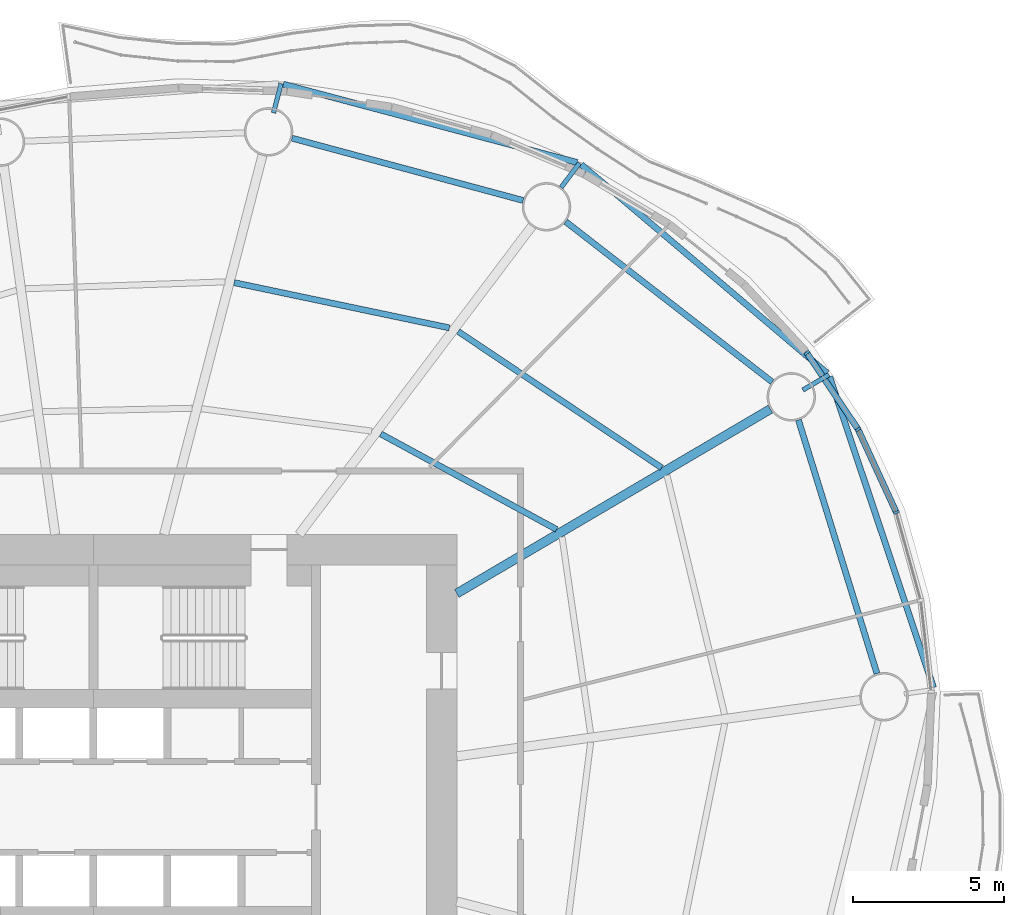
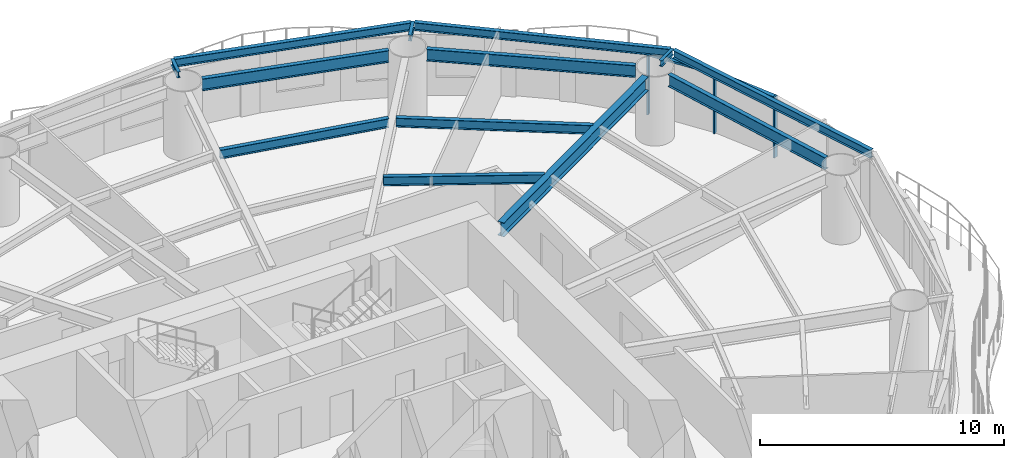
# One storey, part 6 of 16: 13 beams, 5 members, 2 elements without a shape of their own.
"""IFC4 building model written with IfcOpenShell, lengths in metres."""

from ifc_helpers import new_model, si_unit, direction, frame, origin, origin_2d, place, context, subcontext, project, spatial, rectangle, i_section, extrude, material, material_profile, profile_set, type_object, element, aggregate, save


model = new_model("IFC4")

# Units and contexts
model_context = context("Model", 3, precision=1e-05, world=origin(), true_north=direction((0.0, 1.0)))
body_context = subcontext(model_context, "Body", "Model", "MODEL_VIEW")
ifc_project = project(units=[si_unit("LENGTHUNIT", "METRE"), si_unit("AREAUNIT", "SQUARE_METRE"), si_unit("VOLUMEUNIT", "CUBIC_METRE"), si_unit("PLANEANGLEUNIT", "RADIAN"), si_unit("MASSUNIT", "GRAM", prefix="KILO")], contexts=[model_context])

# Site, building, storey
site_placement = place(None, origin())
site = spatial("IfcSite", under=ifc_project, at=site_placement, CompositionType="ELEMENT")
building_placement = place(site_placement, origin())
building = spatial("IfcBuilding", under=site, at=building_placement, Name="Vermilion Reach Broadcast Tower", CompositionType="ELEMENT")
storey_placement = place(building_placement, frame((0.0, 0.0, 113.800048828125)))
storey = spatial("IfcBuildingStorey", under=building, at=storey_placement, Name="L26", CompositionType="ELEMENT", Elevation=113.800048828125)

# Beams
ifc_material_1 = material(Name="Steel S355J2", Category="steel")
ifc_material_profile_1 = material_profile(ifc_material_1, i_section(OverallWidth=0.199951171875, OverallDepth=0.39990234375, WebThickness=0.008056640625, FlangeThickness=0.012939453125, at=origin_2d()), Name="S355J2 HN 400x200x8x13")
ifc_profile_set_1 = profile_set([ifc_material_profile_1], Name="Steel S355J2")
beam_type_1 = type_object("IfcBeamType", Name="EB2 HN 400x200x8x13", PredefinedType="BEAM", material=ifc_profile_set_1)
beam_1_placement = place(storey_placement, frame((18.2265625, 14.3291015625, 3.25), z_axis=(-0.762593135602, 0.646878434895, 0.0), x_axis=(-0.646878434895, -0.762593135602, 0.0)))
element("IfcBeam", 1, at=beam_1_placement, inside=storey, type_object=beam_type_1, Name="Edge beam EB2-01", PredefinedType="BEAM", context=body_context, shape_type="SweptSolid", body=[
    extrude(i_section(OverallWidth=0.199951171875, OverallDepth=0.39990234375, WebThickness=0.008056640625, FlangeThickness=0.012939453125, at=origin_2d()), origin(), (0.0, 0.0, 1.0), 10.644287109375),
])
beam_2_placement = place(storey_placement, frame((9.973876953125, 21.2841796875, 3.25), z_axis=(-0.966298679998, 0.257423505208, 0.0), x_axis=(-0.257423505208, -0.966298679998, 0.0)))
element("IfcBeam", 2, at=beam_2_placement, inside=storey, type_object=beam_type_1, Name="Edge beam EB2-02", PredefinedType="BEAM", context=body_context, shape_type="SweptSolid", body=[
    extrude(i_section(OverallWidth=0.199951171875, OverallDepth=0.39990234375, WebThickness=0.008056640625, FlangeThickness=0.012939453125, at=origin_2d()), origin(), (0.0, 0.0, 1.0), 10.039794921875),
])
beam_3_placement = place(storey_placement, frame((21.73876953125, 3.949462890625, 3.25), z_axis=(-0.316959220563, 0.948439166473, 0.0), x_axis=(-0.948439166473, -0.316959220563, 0.0)))
element("IfcBeam", 3, at=beam_3_placement, inside=storey, type_object=beam_type_1, Name="Edge beam EB2-16", PredefinedType="BEAM", context=body_context, shape_type="SweptSolid", body=[
    extrude(i_section(OverallWidth=0.199951171875, OverallDepth=0.39990234375, WebThickness=0.008056640625, FlangeThickness=0.012939453125, at=origin_2d()), origin(), (0.0, 0.0, 1.0), 10.81298828125),
])
ifc_material_2 = material(Name="Steel S355J2", Category="steel")
ifc_material_profile_2 = material_profile(ifc_material_2, i_section(OverallWidth=0.300048828125, OverallDepth=0.699951171875, WebThickness=0.012939453125, FlangeThickness=0.02392578125, at=origin_2d()), Name="S355J2 HN 700x300x13x24")
ifc_profile_set_2 = profile_set([ifc_material_profile_2], Name="Steel S355J2")
beam_type_2 = type_object("IfcBeamType", Name="G2 HN 700x300x13x24", PredefinedType="BEAM", material=ifc_profile_set_2)
beam_4_placement = place(storey_placement, frame((6.0, 7.054443359375, 3.099853515625), z_axis=(0.862071616631, 0.506786471603, 0.0), x_axis=(-0.506786471603, 0.862071616631, 0.0)))
element("IfcBeam", 4, at=beam_4_placement, inside=storey, type_object=beam_type_2, Name="Girder G2-01", PredefinedType="BEAM", context=body_context, shape_type="SweptSolid", body=[
    extrude(i_section(OverallWidth=0.300048828125, OverallDepth=0.699951171875, WebThickness=0.012939453125, FlangeThickness=0.02392578125, at=origin_2d()), origin(), (0.0, 0.0, 1.0), 12.01025390625),
])
ifc_material_3 = material(Name="Steel S355J2", Category="steel")
ifc_material_profile_3 = material_profile(ifc_material_3, i_section(OverallWidth=0.14990234375, OverallDepth=0.300048828125, WebThickness=0.006591796875, FlangeThickness=0.009033203125, at=origin_2d()), Name="S355J2 HN 300x150x6.5x9")
ifc_profile_set_3 = profile_set([ifc_material_profile_3], Name="Steel S355J2")
beam_type_3 = type_object("IfcBeamType", Name="GS2 HN 300x150x6.5x9", PredefinedType="BEAM", material=ifc_profile_set_3)
beam_5_placement = place(storey_placement, frame((17.425048828125, 13.77099609375, 3.300048828125), z_axis=(0.862153821816, 0.506646610102, 0.0), x_axis=(-0.506646610102, 0.862153821816, 0.0)))
element("IfcBeam", 5, at=beam_5_placement, inside=storey, type_object=beam_type_3, Name="Cantilever stub GS2-01", PredefinedType="BEAM", context=body_context, shape_type="SweptSolid", body=[
    extrude(i_section(OverallWidth=0.14990234375, OverallDepth=0.300048828125, WebThickness=0.006591796875, FlangeThickness=0.009033203125, at=origin_2d()), origin(), (0.0, 0.0, 1.0), 1.0),
])
beam_6_placement = place(storey_placement, frame((9.4453125, 20.45947265625, 3.300048828125), z_axis=(0.602479763852, 0.798134157989, 0.0), x_axis=(-0.798134157989, 0.602479763852, 0.0)))
element("IfcBeam", 6, at=beam_6_placement, inside=storey, type_object=beam_type_3, Name="Cantilever stub GS2-02", PredefinedType="BEAM", context=body_context, shape_type="SweptSolid", body=[
    extrude(i_section(OverallWidth=0.14990234375, OverallDepth=0.300048828125, WebThickness=0.006591796875, FlangeThickness=0.009033203125, at=origin_2d()), origin(), (0.0, 0.0, 1.0), 1.007080078125),
])
beam_7_placement = place(storey_placement, frame((-0.05126953125, 22.919921875, 3.300048828125), z_axis=(0.251199368006, 0.967935368459, 0.0), x_axis=(-0.967935368459, 0.251199368006, 0.0)))
element("IfcBeam", 7, at=beam_7_placement, inside=storey, type_object=beam_type_3, Name="Cantilever stub GS2-03", PredefinedType="BEAM", context=body_context, shape_type="SweptSolid", body=[
    extrude(i_section(OverallWidth=0.14990234375, OverallDepth=0.300048828125, WebThickness=0.006591796875, FlangeThickness=0.009033203125, at=origin_2d()), origin(), (0.0, 0.0, 1.0), 1.0),
])
ifc_material_4 = material(Name="Steel S355J2", Category="steel")
ifc_material_profile_4 = material_profile(ifc_material_4, i_section(OverallWidth=0.199951171875, OverallDepth=0.60009765625, WebThickness=0.010986328125, FlangeThickness=0.01708984375, at=origin_2d()), Name="S355J2 HN 600x200x11x17")
ifc_profile_set_4 = profile_set([ifc_material_profile_4], Name="Steel S355J2")
beam_type_4 = type_object("IfcBeamType", Name="RB2 HN 600x200x11x17", PredefinedType="BEAM", material=ifc_profile_set_4)
beam_8_placement = place(storey_placement, frame((16.41162109375, 14.037109375, 3.14990234375), z_axis=(-0.789825712432, 0.613331349257, 0.0), x_axis=(-0.613331349257, -0.789825712432, 0.0)))
element("IfcBeam", 8, at=beam_8_placement, inside=storey, type_object=beam_type_4, Name="Ring beam RB2-01", PredefinedType="BEAM", context=body_context, shape_type="SweptSolid", body=[
    extrude(i_section(OverallWidth=0.199951171875, OverallDepth=0.60009765625, WebThickness=0.010986328125, FlangeThickness=0.01708984375, at=origin_2d()), origin(), (0.0, 0.0, 1.0), 8.63037109375),
])
beam_9_placement = place(storey_placement, frame((8.19091796875, 20.029296875, 3.14990234375), z_axis=(-0.965541463834, 0.260249268234, 0.0), x_axis=(-0.260249268234, -0.965541463834, 0.0)))
element("IfcBeam", 9, at=beam_9_placement, inside=storey, type_object=beam_type_4, Name="Ring beam RB2-02", PredefinedType="BEAM", context=body_context, shape_type="SweptSolid", body=[
    extrude(i_section(OverallWidth=0.199951171875, OverallDepth=0.60009765625, WebThickness=0.010986328125, FlangeThickness=0.01708984375, at=origin_2d()), origin(), (0.0, 0.0, 1.0), 7.904541015625),
])
beam_10_placement = place(storey_placement, frame((19.872314453125, 4.410400390625, 3.14990234375), z_axis=(-0.295788439635, 0.95525347368, 0.0), x_axis=(-0.95525347368, -0.295788439635, 0.0)))
element("IfcBeam", 10, at=beam_10_placement, inside=storey, type_object=beam_type_4, Name="Ring beam RB2-16", PredefinedType="BEAM", context=body_context, shape_type="SweptSolid", body=[
    extrude(i_section(OverallWidth=0.199951171875, OverallDepth=0.60009765625, WebThickness=0.010986328125, FlangeThickness=0.01708984375, at=origin_2d()), origin(), (0.0, 0.0, 1.0), 8.763916015625),
])
ifc_material_5 = material(Name="Steel S355J2", Category="steel")
ifc_material_profile_5 = material_profile(ifc_material_5, i_section(OverallWidth=0.199951171875, OverallDepth=0.449951171875, WebThickness=0.009033203125, FlangeThickness=0.013916015625, at=origin_2d()), Name="S355J2 HN 450x200x9x14")
ifc_profile_set_5 = profile_set([ifc_material_profile_5], Name="Steel S355J2")
beam_type_5 = type_object("IfcBeamType", Name="SB2 HN 450x200x9x14", PredefinedType="BEAM", material=ifc_profile_set_5)
beam_11_placement = place(storey_placement, frame((9.29736328125, 9.1669921875, 3.224853515625), z_axis=(-0.878713106774, 0.477350265512, 0.0), x_axis=(-0.477350265512, -0.878713106774, 0.0)))
element("IfcBeam", 11, at=beam_11_placement, inside=storey, type_object=beam_type_5, Name="Secondary beam SB2-01-1", PredefinedType="BEAM", context=body_context, shape_type="SweptSolid", body=[
    extrude(i_section(OverallWidth=0.199951171875, OverallDepth=0.449951171875, WebThickness=0.009033203125, FlangeThickness=0.013916015625, at=origin_2d()), origin(), (0.0, 0.0, 1.0), 6.60888671875),
])
beam_12_placement = place(storey_placement, frame((12.76416015625, 11.204833984375, 3.224853515625), z_axis=(-0.830915400975, 0.556398774641, 0.0), x_axis=(-0.556398774641, -0.830915400975, 0.0)))
element("IfcBeam", 12, at=beam_12_placement, inside=storey, type_object=beam_type_5, Name="Secondary beam SB2-01-2", PredefinedType="BEAM", context=body_context, shape_type="SweptSolid", body=[
    extrude(i_section(OverallWidth=0.199951171875, OverallDepth=0.449951171875, WebThickness=0.009033203125, FlangeThickness=0.013916015625, at=origin_2d()), origin(), (0.0, 0.0, 1.0), 8.087646484375),
])
beam_13_placement = place(storey_placement, frame((5.7568359375, 15.822509765625, 3.224853515625), z_axis=(-0.978631382549, 0.205622511148, 0.0), x_axis=(-0.205622511148, -0.978631382549, 0.0)))
element("IfcBeam", 13, at=beam_13_placement, inside=storey, type_object=beam_type_5, Name="Secondary beam SB2-02-2", PredefinedType="BEAM", context=body_context, shape_type="SweptSolid", body=[
    extrude(i_section(OverallWidth=0.199951171875, OverallDepth=0.449951171875, WebThickness=0.009033203125, FlangeThickness=0.013916015625, at=origin_2d()), origin(), (0.0, 0.0, 1.0), 7.262939453125),
])

# Curtain wall, member
ifc_material_6 = material(Name="Low-e laminated clear glass in aluminium frame", Category="aluminium")
curtain_wall_type = type_object("IfcCurtainWallType", Name="Slot curtain wall", PredefinedType="NOTDEFINED", material=ifc_material_6)
placement = place(storey_placement, origin())
curtain_wall_1 = element("IfcCurtainWall", 14, at=placement, inside=storey, type_object=curtain_wall_type, Name="Slot curtain wall L26 00", PredefinedType="NOTDEFINED")
ifc_material_7 = material(Name="Anodised aluminium", Category="aluminium")
ifc_material_profile_6 = material_profile(ifc_material_7, rectangle(XDim=0.199951171875, YDim=0.080078125, at=origin_2d()), Name="Slot mullion 80 x 200")
ifc_profile_set_6 = profile_set([ifc_material_profile_6], Name="Anodised aluminium")
member_type_1 = type_object("IfcMemberType", Name="Slot mullion 80 x 200", PredefinedType="MULLION", material=ifc_profile_set_6)
member_1_placement = place(storey_placement, frame((20.510009765625, 9.73291015625, 0.0), z_axis=(0.0, 0.0, 1.0), x_axis=(-0.938733857696, -0.34464292306, 0.0)))
member_1 = element("IfcMember", 15, at=member_1_placement, type_object=member_type_1, Name="Slot mullion L26 00", PredefinedType="MULLION", context=body_context, shape_type="SweptSolid", body=[
    extrude(rectangle(XDim=0.199951171875, YDim=0.080078125, at=origin_2d()), origin(), (0.0, 0.0, 1.0), 3.050048828125),
])

# Curtain wall, members
curtain_wall_2 = element("IfcCurtainWall", 16, at=placement, inside=storey, type_object=curtain_wall_type, Name="Slot curtain wall L26 01", PredefinedType="NOTDEFINED")
member_2_placement = place(storey_placement, frame((19.248779296875, 12.470947265625, 0.0), z_axis=(0.0, 0.0, 1.0), x_axis=(-0.872334970322, -0.488908682223, 0.0)))
member_2 = element("IfcMember", 17, at=member_2_placement, type_object=member_type_1, Name="Slot mullion L26 01", PredefinedType="MULLION", context=body_context, shape_type="SweptSolid", body=[
    extrude(rectangle(XDim=0.199951171875, YDim=0.080078125, at=origin_2d()), origin(), (0.0, 0.0, 1.0), 3.050048828125),
])
member_3_placement = place(storey_placement, frame((17.55712890625, 14.99755859375, 0.0), z_axis=(0.0, 0.0, 1.0), x_axis=(-0.785495919394, -0.618866835931, 0.0)))
member_3 = element("IfcMember", 18, at=member_3_placement, type_object=member_type_1, Name="Slot mullion L26 02", PredefinedType="MULLION", context=body_context, shape_type="SweptSolid", body=[
    extrude(rectangle(XDim=0.199951171875, YDim=0.080078125, at=origin_2d()), origin(), (0.0, 0.0, 1.0), 3.050048828125),
])

# Member
ifc_material_8 = material(Name="Anodised aluminium", Category="aluminium")
ifc_material_profile_7 = material_profile(ifc_material_8, rectangle(XDim=0.199951171875, YDim=0.10009765625, at=origin_2d()), Name="Slot transom 200 x 100")
ifc_profile_set_7 = profile_set([ifc_material_profile_7], Name="Anodised aluminium")
member_type_2 = type_object("IfcMemberType", Name="Slot transom 200 x 100", PredefinedType="USERDEFINED", material=ifc_profile_set_7)
member_4_placement = place(storey_placement, frame((20.493408203125, 9.76904296875, 3.0), z_axis=(-0.418366963008, 0.908278087517, 0.0), x_axis=(-0.908278087517, -0.418366963008, 0.0)))
member_4 = element("IfcMember", 19, at=member_4_placement, type_object=member_type_2, Name="Slot transom L26 00.1", ObjectType="TRANSOM", PredefinedType="USERDEFINED", context=body_context, shape_type="SweptSolid", body=[
    extrude(rectangle(XDim=0.199951171875, YDim=0.10009765625, at=origin_2d()), origin(), (0.0, 0.0, 1.0), 2.934814453125),
])

aggregate(curtain_wall_1, [member_1, member_4])

member_5_placement = place(storey_placement, frame((19.2265625, 12.504150390625, 3.0), z_axis=(-0.556392755489, 0.830919431497, 0.0), x_axis=(-0.830919431497, -0.556392755489, 0.0)))
member_5 = element("IfcMember", 20, at=member_5_placement, type_object=member_type_2, Name="Slot transom L26 01.1", ObjectType="TRANSOM", PredefinedType="USERDEFINED", context=body_context, shape_type="SweptSolid", body=[
    extrude(rectangle(XDim=0.199951171875, YDim=0.10009765625, at=origin_2d()), origin(), (0.0, 0.0, 1.0), 2.96044921875),
])

aggregate(curtain_wall_2, [member_2, member_3, member_5])

save(model, "model.ifc")
